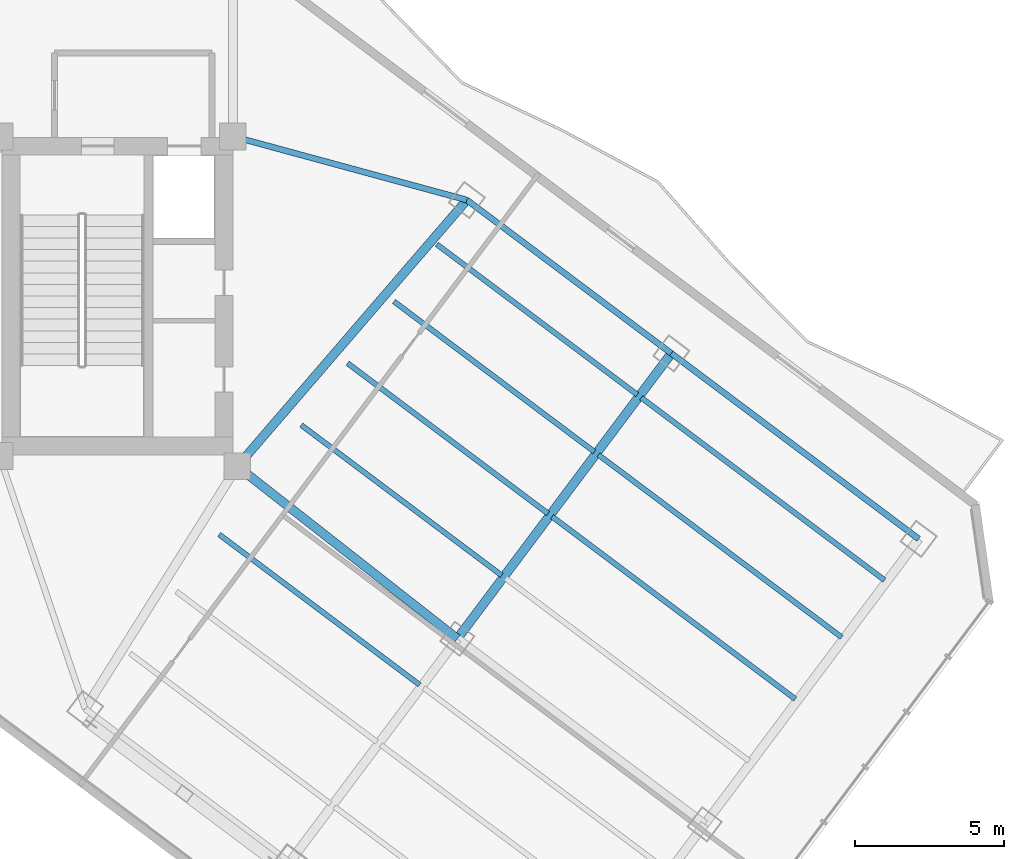
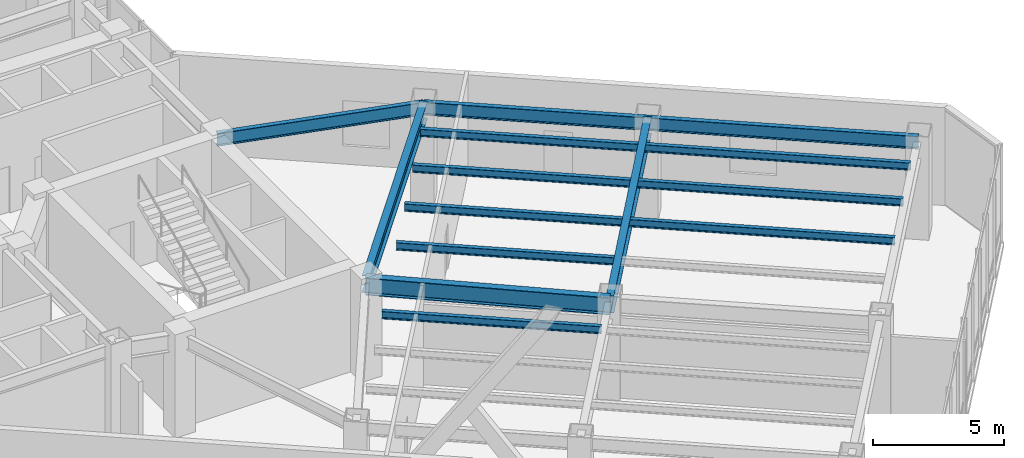
# One storey, part 9 of 27: 14 beams.
"""IFC4 building model written with IfcOpenShell, lengths in metres."""

from ifc_helpers import new_model, si_unit, direction, frame, origin, origin_2d, place, context, subcontext, project, spatial, i_section, extrude, material, material_profile, profile_set, type_object, element, save


model = new_model("IFC4")

# Units and contexts
model_context = context("Model", 3, precision=1e-05, world=origin(), true_north=direction((0.0, 1.0)))
body_context = subcontext(model_context, "Body", "Model", "MODEL_VIEW")
ifc_project = project(units=[si_unit("LENGTHUNIT", "METRE"), si_unit("AREAUNIT", "SQUARE_METRE"), si_unit("VOLUMEUNIT", "CUBIC_METRE"), si_unit("PLANEANGLEUNIT", "RADIAN"), si_unit("MASSUNIT", "GRAM", prefix="KILO")], contexts=[model_context])

# Site, building, storey
site_placement = place(None, origin())
site = spatial("IfcSite", under=ifc_project, at=site_placement, CompositionType="ELEMENT")
building_placement = place(site_placement, origin())
building = spatial("IfcBuilding", under=site, at=building_placement, Name="Hatsunagi Terrace Concourse", CompositionType="ELEMENT")
storey_placement = place(building_placement, frame((0.0, 0.0, 96.449951171875)))
storey = spatial("IfcBuildingStorey", under=building, at=storey_placement, Name="L25", CompositionType="ELEMENT", Elevation=96.449951171875)

# Beams
ifc_material_1 = material(Name="Steel SN490B", Category="steel")
ifc_material_profile_1 = material_profile(ifc_material_1, i_section(OverallWidth=0.175048828125, OverallDepth=0.35009765625, WebThickness=0.007080078125, FlangeThickness=0.010986328125, FilletRadius=0.012939453125, at=origin_2d()), Name="H-350x175x7x11")
ifc_profile_set_1 = profile_set([ifc_material_profile_1], Name="Steel SN490B")
beam_type_1 = type_object("IfcBeamType", Name="HotelJoist_H_350x175", PredefinedType="JOIST", material=ifc_profile_set_1)
for number, where, z_axis, x_axis, name in (
    (1, (43.18798828125, 21.908935546875, 4.375), (0.800003475366, -0.59999536615, 0.0), (0.59999536615, 0.800003475366, 0.0), "Beam J-02 J-L25-SE-2-96"),
    (2, (45.947998046875, 25.589111328125, 4.375), (0.799989573921, -0.600013901187, 0.0), (0.600013901187, 0.799989573921, 0.0), "Beam J-02 J-L25-SE-2-142"),
    (3, (47.508056640625, 27.6689453125, 4.375), (0.800003475366, -0.59999536615, 0.0), (0.59999536615, 0.800003475366, 0.0), "Beam J-02 J-L25-SE-2-168"),
    (4, (49.068115234375, 29.7490234375, 4.375), (0.799989573921, -0.600013901187, 0.0), (0.600013901187, 0.799989573921, 0.0), "Beam J-02 J-L25-SE-2-194"),
    (5, (50.508056640625, 31.6689453125, 4.375), (0.800003475366, -0.59999536615, 0.0), (0.59999536615, 0.800003475366, 0.0), "Beam J-02 J-L25-SE-2-218"),
):
    element("IfcBeam", number, at=place(storey_placement, frame(where, z_axis=z_axis, x_axis=x_axis)), inside=storey, type_object=beam_type_1, Name=name, PredefinedType="JOIST", context=body_context, shape_type="SweptSolid", body=[
        extrude(i_section(OverallWidth=0.175048828125, OverallDepth=0.35009765625, WebThickness=0.007080078125, FlangeThickness=0.010986328125, FilletRadius=0.012939453125, at=origin_2d()), origin(), (0.0, 0.0, 1.0), 8.429931640625),
    ])
beam_1_placement = place(storey_placement, frame((54.387939453125, 22.509033203125, 4.375), z_axis=(0.800005727586, -0.599992363142, 0.0), x_axis=(0.599992363142, 0.800005727586, 0.0)))
element("IfcBeam", 6, at=beam_1_placement, inside=storey, type_object=beam_type_1, Name="Beam J-02 J-L25-SE-3-168", PredefinedType="JOIST", context=body_context, shape_type="SweptSolid", body=[
    extrude(i_section(OverallWidth=0.175048828125, OverallDepth=0.35009765625, WebThickness=0.007080078125, FlangeThickness=0.010986328125, FilletRadius=0.012939453125, at=origin_2d()), origin(), (0.0, 0.0, 1.0), 10.22998046875),
])
beam_2_placement = place(storey_placement, frame((55.947998046875, 24.589111328125, 4.375), z_axis=(0.799994272423, -0.600007636694, 0.0), x_axis=(0.600007636694, 0.799994272423, 0.0)))
element("IfcBeam", 7, at=beam_2_placement, inside=storey, type_object=beam_type_1, Name="Beam J-02 J-L25-SE-3-194", PredefinedType="JOIST", context=body_context, shape_type="SweptSolid", body=[
    extrude(i_section(OverallWidth=0.175048828125, OverallDepth=0.35009765625, WebThickness=0.007080078125, FlangeThickness=0.010986328125, FilletRadius=0.012939453125, at=origin_2d()), origin(), (0.0, 0.0, 1.0), 10.230224609375),
])
beam_3_placement = place(storey_placement, frame((57.387939453125, 26.509033203125, 4.375), z_axis=(0.800005727586, -0.599992363142, 0.0), x_axis=(0.599992363142, 0.800005727586, 0.0)))
element("IfcBeam", 8, at=beam_3_placement, inside=storey, type_object=beam_type_1, Name="Beam J-02 J-L25-SE-3-218", PredefinedType="JOIST", context=body_context, shape_type="SweptSolid", body=[
    extrude(i_section(OverallWidth=0.175048828125, OverallDepth=0.35009765625, WebThickness=0.007080078125, FlangeThickness=0.010986328125, FilletRadius=0.012939453125, at=origin_2d()), origin(), (0.0, 0.0, 1.0), 10.22998046875),
])
ifc_material_2 = material(Name="Steel SN490B", Category="steel")
ifc_material_profile_2 = material_profile(ifc_material_2, i_section(OverallWidth=0.199951171875, OverallDepth=0.60009765625, WebThickness=0.010986328125, FlangeThickness=0.01708984375, FilletRadius=0.01806640625, at=origin_2d()), Name="H-600x200x11x17")
ifc_profile_set_2 = profile_set([ifc_material_profile_2], Name="Steel SN490B")
beam_type_2 = type_object("IfcBeamType", Name="PerimeterSpandrel_H_600x200", PredefinedType="SPANDREL", material=ifc_profile_set_2)
beam_4_placement = place(storey_placement, frame((43.64990234375, 35.300048828125, 4.25), z_axis=(0.964958359286, -0.262403057994, 0.0), x_axis=(0.262403057994, 0.964958359286, 0.0)))
element("IfcBeam", 9, at=beam_4_placement, inside=storey, type_object=beam_type_2, Name="Beam SP-01 BM-L25-SE-NE0", PredefinedType="SPANDREL", context=body_context, shape_type="SweptSolid", body=[
    extrude(i_section(OverallWidth=0.199951171875, OverallDepth=0.60009765625, WebThickness=0.010986328125, FlangeThickness=0.01708984375, FilletRadius=0.01806640625, at=origin_2d()), origin(), (0.0, 0.0, 1.0), 8.156005859375),
])
beam_5_placement = place(storey_placement, frame((51.52001953125, 33.159912109375, 4.25), z_axis=(0.8, -0.6, 0.0), x_axis=(0.6, 0.8, 0.0)))
element("IfcBeam", 10, at=beam_5_placement, inside=storey, type_object=beam_type_2, Name="Beam SP-01 BM-L25-SE-NE2", PredefinedType="SPANDREL", context=body_context, shape_type="SweptSolid", body=[
    extrude(i_section(OverallWidth=0.199951171875, OverallDepth=0.60009765625, WebThickness=0.010986328125, FlangeThickness=0.01708984375, FilletRadius=0.01806640625, at=origin_2d()), origin(), (0.0, 0.0, 1.0), 8.599853515625),
])
beam_6_placement = place(storey_placement, frame((58.39990234375, 28.0, 4.25), z_axis=(0.800002816985, -0.599996244001, 0.0), x_axis=(0.599996244001, 0.800002816985, 0.0)))
element("IfcBeam", 11, at=beam_6_placement, inside=storey, type_object=beam_type_2, Name="Beam SP-01 BM-L25-SE-NE3", PredefinedType="SPANDREL", context=body_context, shape_type="SweptSolid", body=[
    extrude(i_section(OverallWidth=0.199951171875, OverallDepth=0.60009765625, WebThickness=0.010986328125, FlangeThickness=0.01708984375, FilletRadius=0.01806640625, at=origin_2d()), origin(), (0.0, 0.0, 1.0), 10.400146484375),
])
ifc_material_3 = material(Name="Steel SN490B", Category="steel")
ifc_material_profile_3 = material_profile(ifc_material_3, i_section(OverallWidth=0.300048828125, OverallDepth=0.800048828125, WebThickness=0.013916015625, FlangeThickness=0.02587890625, FilletRadius=0.02197265625, at=origin_2d()), Name="H-800x300x14x26")
ifc_profile_set_3 = profile_set([ifc_material_profile_3], Name="Steel SN490B")
beam_type_3 = type_object("IfcBeamType", Name="SkyLobbyGirder_H_800x300", PredefinedType="BEAM", material=ifc_profile_set_3)
beam_7_placement = place(storey_placement, frame((43.800048828125, 24.199951171875, 4.150146484375), z_axis=(0.652739101421, 0.757582777969, 0.0), x_axis=(-0.757582777969, 0.652739101421, 0.0)))
element("IfcBeam", 12, at=beam_7_placement, inside=storey, type_object=beam_type_3, Name="Beam G-03 BM-L25-SET-1B", PredefinedType="BEAM", context=body_context, shape_type="SweptSolid", body=[
    extrude(i_section(OverallWidth=0.300048828125, OverallDepth=0.800048828125, WebThickness=0.013916015625, FlangeThickness=0.02587890625, FilletRadius=0.02197265625, at=origin_2d()), origin(), (0.0, 0.0, 1.0), 11.8271484375),
])
beam_8_placement = place(storey_placement, frame((43.800048828125, 24.199951171875, 4.150146484375), z_axis=(0.787049441068, -0.616889923175, 0.0), x_axis=(0.616889923175, 0.787049441068, 0.0)))
element("IfcBeam", 13, at=beam_8_placement, inside=storey, type_object=beam_type_3, Name="Beam G-03 BM-L25-SE-M2", PredefinedType="BEAM", context=body_context, shape_type="SweptSolid", body=[
    extrude(i_section(OverallWidth=0.300048828125, OverallDepth=0.800048828125, WebThickness=0.013916015625, FlangeThickness=0.02587890625, FilletRadius=0.02197265625, at=origin_2d()), origin(), (0.0, 0.0, 1.0), 9.402099609375),
])
beam_9_placement = place(storey_placement, frame((51.199951171875, 18.39990234375, 4.150146484375), z_axis=(0.59999348959, 0.800004882766, 0.0), x_axis=(-0.800004882766, 0.59999348959, 0.0)))
element("IfcBeam", 14, at=beam_9_placement, inside=storey, type_object=beam_type_3, Name="Beam G-03 BM-L25-SET-2B", PredefinedType="BEAM", context=body_context, shape_type="SweptSolid", body=[
    extrude(i_section(OverallWidth=0.300048828125, OverallDepth=0.800048828125, WebThickness=0.013916015625, FlangeThickness=0.02587890625, FilletRadius=0.02197265625, at=origin_2d()), origin(), (0.0, 0.0, 1.0), 12.0),
])

save(model, "model.ifc")
